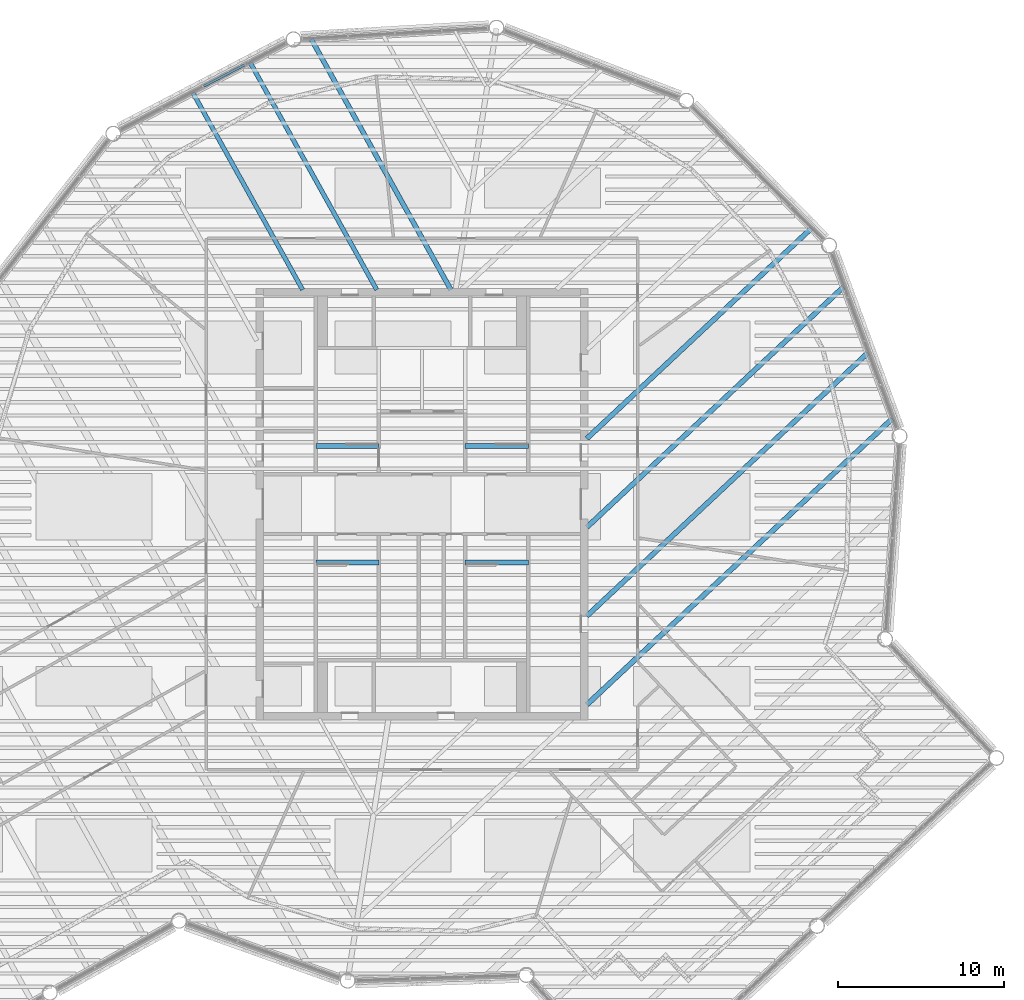
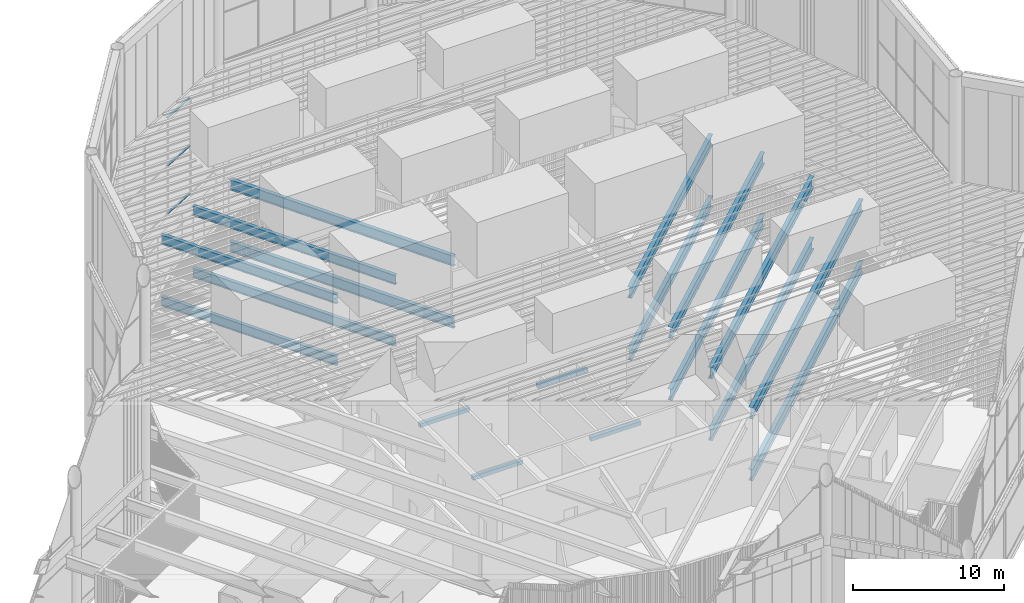
# One storey, part 50 of 117: 18 beams, 3 members, 1 element without a shape of its own.
"""IFC4 building model written with IfcOpenShell, lengths in metres."""

from ifc_helpers import new_model, si_unit, direction, frame, origin, origin_2d, place, context, subcontext, project, spatial, rectangle, hollow_rectangle, i_section, extrude, material, layer, layer_set, material_profile, profile_set, type_object, element, aggregate, save


model = new_model("IFC4")

# Units and contexts
model_context = context("Model", 3, precision=1e-05, world=origin(), true_north=direction((0.0, 1.0)))
body_context = subcontext(model_context, "Body", "Model", "MODEL_VIEW")
ifc_project = project(units=[si_unit("LENGTHUNIT", "METRE"), si_unit("AREAUNIT", "SQUARE_METRE"), si_unit("VOLUMEUNIT", "CUBIC_METRE"), si_unit("PLANEANGLEUNIT", "RADIAN"), si_unit("MASSUNIT", "GRAM", prefix="KILO")], contexts=[model_context])

# Site, building, storey
site_placement = place(None, origin())
site = spatial("IfcSite", under=ifc_project, at=site_placement, CompositionType="ELEMENT")
building_placement = place(site_placement, origin())
building = spatial("IfcBuilding", under=site, at=building_placement, Name="Tarsis Ring Headquarters", CompositionType="ELEMENT")
storey_placement = place(building_placement, frame((0.0, 0.0, 403.60009765625)))
storey = spatial("IfcBuildingStorey", under=building, at=storey_placement, Name="L95", CompositionType="ELEMENT", Elevation=403.60009765625)

# Curtain wall, members
ifc_material_1 = material(Name="Aluminium curtain wall", Category="aluminium")
ifc_layer = layer(ifc_material_1, 0.179931640625)
ifc_layer_set = layer_set([ifc_layer], Name="Curtain wall crown glazing")
curtain_wall_type = type_object("IfcCurtainWallType", Name="Curtain wall crown glazing", PredefinedType="NOTDEFINED", material=ifc_layer_set)
curtain_wall_placement = place(storey_placement, origin())
curtain_wall = element("IfcCurtainWall", 1, at=curtain_wall_placement, inside=storey, type_object=curtain_wall_type, Name="Crown glazing L11", PredefinedType="NOTDEFINED")
ifc_material_2 = material(Name="Aluminium transom", Category="aluminium")
ifc_material_profile_1 = material_profile(ifc_material_2, hollow_rectangle(XDim=0.14990234375, YDim=0.070068359375, WallThickness=0.0048828125, at=origin_2d()), Name="RHS 150x70x5")
ifc_profile_set_1 = profile_set([ifc_material_profile_1], Name="Aluminium transom")
member_type = type_object("IfcMemberType", Name="Crown glazing transom RHS 150x70x5", PredefinedType="USERDEFINED", material=ifc_profile_set_1)
member_1_placement = place(storey_placement, frame((-10.69091796875, 26.45458984375, 5.8349609375), z_axis=(-0.885914512263, -0.463848549595, 0.0), x_axis=(0.463848549595, -0.885914512263, 0.0)))
member_1 = element("IfcMember", 2, at=member_1_placement, type_object=member_type, Name="CW-C transom 2.1", ObjectType="TRANSOM", PredefinedType="USERDEFINED", context=body_context, shape_type="SweptSolid", body=[
    extrude(hollow_rectangle(XDim=0.14990234375, YDim=0.070068359375, WallThickness=0.0048828125, at=origin_2d()), origin(), (0.0, 0.0, 1.0), 2.763916015625),
])
member_2_placement = place(storey_placement, frame((-10.69091796875, 26.45458984375, 9.699951171875), z_axis=(-0.885914512263, -0.463848549595, 0.0), x_axis=(0.463848549595, -0.885914512263, 0.0)))
member_2 = element("IfcMember", 3, at=member_2_placement, type_object=member_type, Name="CW-C transom 2.2", ObjectType="TRANSOM", PredefinedType="USERDEFINED", context=body_context, shape_type="SweptSolid", body=[
    extrude(hollow_rectangle(XDim=0.14990234375, YDim=0.070068359375, WallThickness=0.0048828125, at=origin_2d()), origin(), (0.0, 0.0, 1.0), 2.763916015625),
])
member_3_placement = place(storey_placement, frame((-10.69091796875, 26.45458984375, 13.56494140625), z_axis=(-0.885914512263, -0.463848549595, 0.0), x_axis=(0.463848549595, -0.885914512263, 0.0)))
member_3 = element("IfcMember", 4, at=member_3_placement, type_object=member_type, Name="CW-C transom 2.3", ObjectType="TRANSOM", PredefinedType="USERDEFINED", context=body_context, shape_type="SweptSolid", body=[
    extrude(hollow_rectangle(XDim=0.14990234375, YDim=0.070068359375, WallThickness=0.0048828125, at=origin_2d()), origin(), (0.0, 0.0, 1.0), 2.763916015625),
])
aggregate(curtain_wall, [member_1, member_2, member_3])

# Beams
ifc_material_3 = material(Name="Structural steel S355", Category="steel")
ifc_material_profile_2 = material_profile(ifc_material_3, i_section(OverallWidth=0.2666015625, OverallDepth=0.7568359375, WebThickness=0.013916015625, FlangeThickness=0.019287109375, at=origin_2d()), Name="W30x108")
ifc_profile_set_2 = profile_set([ifc_material_profile_2], Name="Structural steel S355")
beam_type_1 = type_object("IfcBeamType", Name="FB Floor beam W30x108", PredefinedType="JOIST", material=ifc_profile_set_2)
beam_1_placement = place(storey_placement, frame((-10.34130859375, 26.578369140625, -0.678466796875), z_axis=(0.486641756201, -0.873601626098, 0.0), x_axis=(0.873601626098, 0.486641756201, 0.0)))
element("IfcBeam", 5, at=beam_1_placement, inside=storey, type_object=beam_type_1, Name="Floor beam FB6", PredefinedType="JOIST", context=body_context, shape_type="SweptSolid", body=[
    extrude(i_section(OverallWidth=0.2666015625, OverallDepth=0.7568359375, WebThickness=0.013916015625, FlangeThickness=0.019287109375, at=origin_2d()), origin(), (0.0, 0.0, 1.0), 15.64306640625),
])
beam_2_placement = place(storey_placement, frame((-13.797607421875, 24.76904296875, -0.678466796875), z_axis=(0.486646070602, -0.873599222738, 0.0), x_axis=(0.873599222738, 0.486646070602, 0.0)))
element("IfcBeam", 6, at=beam_2_placement, inside=storey, type_object=beam_type_1, Name="Floor beam FB6", PredefinedType="JOIST", context=body_context, shape_type="SweptSolid", body=[
    extrude(i_section(OverallWidth=0.2666015625, OverallDepth=0.7568359375, WebThickness=0.013916015625, FlangeThickness=0.019287109375, at=origin_2d()), origin(), (0.0, 0.0, 1.0), 13.572021484375),
])
beam_3_placement = place(storey_placement, frame((-10.34130859375, 26.578369140625, 4.321533203125), z_axis=(0.486641756201, -0.873601626098, 0.0), x_axis=(0.873601626098, 0.486641756201, 0.0)))
element("IfcBeam", 7, at=beam_3_placement, inside=storey, type_object=beam_type_1, Name="Floor beam FB6", PredefinedType="JOIST", context=body_context, shape_type="SweptSolid", body=[
    extrude(i_section(OverallWidth=0.2666015625, OverallDepth=0.7568359375, WebThickness=0.013916015625, FlangeThickness=0.019287109375, at=origin_2d()), origin(), (0.0, 0.0, 1.0), 15.64306640625),
])
beam_4_placement = place(storey_placement, frame((-13.797607421875, 24.76904296875, 4.321533203125), z_axis=(0.486646070602, -0.873599222738, 0.0), x_axis=(0.873599222738, 0.486646070602, 0.0)))
element("IfcBeam", 8, at=beam_4_placement, inside=storey, type_object=beam_type_1, Name="Floor beam FB6", PredefinedType="JOIST", context=body_context, shape_type="SweptSolid", body=[
    extrude(i_section(OverallWidth=0.2666015625, OverallDepth=0.7568359375, WebThickness=0.013916015625, FlangeThickness=0.019287109375, at=origin_2d()), origin(), (0.0, 0.0, 1.0), 13.572021484375),
])
ifc_material_profile_3 = material_profile(ifc_material_3, i_section(OverallWidth=0.2919921875, OverallDepth=0.835693359375, WebThickness=0.013916015625, FlangeThickness=0.018798828125, at=origin_2d()), Name="W33x118")
ifc_profile_set_3 = profile_set([ifc_material_profile_3], Name="Structural steel S355")
beam_type_2 = type_object("IfcBeamType", Name="FB Floor beam W33x118", PredefinedType="JOIST", material=ifc_profile_set_3)
for number, where, z_axis, x_axis, name in (
    (9, (-6.6669921875, 27.99658203125, -0.718017578125), (0.486642656693, -0.873601124477, 0.0), (0.873601124477, 0.486642656693, 0.0), "Floor beam FB7"),
    (10, (-6.6669921875, 27.99658203125, 4.281982421875), (0.486642656693, -0.873601124477, 0.0), (0.873601124477, 0.486642656693, 0.0), "Floor beam FB7"),
):
    element("IfcBeam", number, at=place(storey_placement, frame(where, z_axis=z_axis, x_axis=x_axis)), inside=storey, type_object=beam_type_2, Name=name, PredefinedType="JOIST", context=body_context, shape_type="SweptSolid", body=[
        extrude(i_section(OverallWidth=0.2919921875, OverallDepth=0.835693359375, WebThickness=0.013916015625, FlangeThickness=0.018798828125, at=origin_2d()), origin(), (0.0, 0.0, 1.0), 17.266357421875),
    ])
ifc_material_profile_4 = material_profile(ifc_material_3, i_section(OverallWidth=0.3046875, OverallDepth=0.904296875, WebThickness=0.01513671875, FlangeThickness=0.02001953125, at=origin_2d()), Name="W36x135")
ifc_profile_set_4 = profile_set([ifc_material_profile_4], Name="Structural steel S355")
beam_type_3 = type_object("IfcBeamType", Name="FB Floor beam W36x135", PredefinedType="JOIST", material=ifc_profile_set_4)
beam_5_placement = place(storey_placement, frame((9.927001953125, 3.953125, -0.752197265625), z_axis=(0.729925461924, 0.683526751514, 0.0), x_axis=(-0.683526751514, 0.729925461924, 0.0)))
element("IfcBeam", 11, at=beam_5_placement, inside=storey, type_object=beam_type_3, Name="Floor beam FB8", PredefinedType="JOIST", context=body_context, shape_type="SweptSolid", body=[
    extrude(i_section(OverallWidth=0.3046875, OverallDepth=0.904296875, WebThickness=0.01513671875, FlangeThickness=0.02001953125, at=origin_2d()), origin(), (0.0, 0.0, 1.0), 18.505859375),
])
beam_6_placement = place(storey_placement, frame((9.927001953125, -1.39013671875, -0.752197265625), z_axis=(0.729921969385, 0.683530481112, 0.0), x_axis=(-0.683530481112, 0.729921969385, 0.0)))
element("IfcBeam", 12, at=beam_6_placement, inside=storey, type_object=beam_type_3, Name="Floor beam FB8", PredefinedType="JOIST", context=body_context, shape_type="SweptSolid", body=[
    extrude(i_section(OverallWidth=0.3046875, OverallDepth=0.904296875, WebThickness=0.01513671875, FlangeThickness=0.02001953125, at=origin_2d()), origin(), (0.0, 0.0, 1.0), 21.166259765625),
])
beam_7_placement = place(storey_placement, frame((9.927001953125, 3.953125, 4.247802734375), z_axis=(0.729925461924, 0.683526751514, 0.0), x_axis=(-0.683526751514, 0.729925461924, 0.0)))
element("IfcBeam", 13, at=beam_7_placement, inside=storey, type_object=beam_type_3, Name="Floor beam FB8", PredefinedType="JOIST", context=body_context, shape_type="SweptSolid", body=[
    extrude(i_section(OverallWidth=0.3046875, OverallDepth=0.904296875, WebThickness=0.01513671875, FlangeThickness=0.02001953125, at=origin_2d()), origin(), (0.0, 0.0, 1.0), 18.505859375),
])
beam_8_placement = place(storey_placement, frame((9.927001953125, -1.39013671875, 4.247802734375), z_axis=(0.729921969385, 0.683530481112, 0.0), x_axis=(-0.683530481112, 0.729921969385, 0.0)))
element("IfcBeam", 14, at=beam_8_placement, inside=storey, type_object=beam_type_3, Name="Floor beam FB8", PredefinedType="JOIST", context=body_context, shape_type="SweptSolid", body=[
    extrude(i_section(OverallWidth=0.3046875, OverallDepth=0.904296875, WebThickness=0.01513671875, FlangeThickness=0.02001953125, at=origin_2d()), origin(), (0.0, 0.0, 1.0), 21.166259765625),
])
ifc_material_profile_5 = material_profile(ifc_material_3, i_section(OverallWidth=0.3046875, OverallDepth=0.91943359375, WebThickness=0.017333984375, FlangeThickness=0.02783203125, at=origin_2d()), Name="W36x170")
ifc_profile_set_5 = profile_set([ifc_material_profile_5], Name="Structural steel S355")
beam_type_4 = type_object("IfcBeamType", Name="FB Floor beam W36x170", PredefinedType="JOIST", material=ifc_profile_set_5)
for number, where, z_axis, x_axis, name in (
    (15, (9.927001953125, -6.733154296875, -0.759765625), (0.72992409868, 0.683528207294, 0.0), (-0.683528207294, 0.72992409868, 0.0), "Floor beam FB9"),
    (16, (9.927001953125, -6.733154296875, 4.240234375), (0.72992409868, 0.683528207294, 0.0), (-0.683528207294, 0.72992409868, 0.0), "Floor beam FB9"),
):
    element("IfcBeam", number, at=place(storey_placement, frame(where, z_axis=z_axis, x_axis=x_axis)), inside=storey, type_object=beam_type_4, Name=name, PredefinedType="JOIST", context=body_context, shape_type="SweptSolid", body=[
        extrude(i_section(OverallWidth=0.3046875, OverallDepth=0.91943359375, WebThickness=0.017333984375, FlangeThickness=0.02783203125, at=origin_2d()), origin(), (0.0, 0.0, 1.0), 23.17431640625),
    ])
ifc_material_profile_6 = material_profile(ifc_material_3, i_section(OverallWidth=0.309814453125, OverallDepth=0.93212890625, WebThickness=0.02099609375, FlangeThickness=0.034423828125, at=origin_2d()), Name="W36x210")
ifc_profile_set_6 = profile_set([ifc_material_profile_6], Name="Structural steel S355")
beam_type_5 = type_object("IfcBeamType", Name="FB Floor beam W36x210", PredefinedType="JOIST", material=ifc_profile_set_6)
for number, where, z_axis, x_axis, name in (
    (17, (9.927001953125, -12.076171875, -0.76611328125), (0.729925888378, 0.683526296111, 0.0), (-0.683526296111, 0.729925888378, 0.0), "Floor beam FB10"),
    (18, (9.927001953125, -12.076171875, 4.23388671875), (0.729925888378, 0.683526296111, 0.0), (-0.683526296111, 0.729925888378, 0.0), "Floor beam FB10"),
):
    element("IfcBeam", number, at=place(storey_placement, frame(where, z_axis=z_axis, x_axis=x_axis)), inside=storey, type_object=beam_type_5, Name=name, PredefinedType="JOIST", context=body_context, shape_type="SweptSolid", body=[
        extrude(i_section(OverallWidth=0.309814453125, OverallDepth=0.93212890625, WebThickness=0.02099609375, FlangeThickness=0.034423828125, at=origin_2d()), origin(), (0.0, 0.0, 1.0), 25.182373046875),
    ])
ifc_material_4 = material(Name="Concrete C40/50", Category="concrete")
ifc_material_profile_7 = material_profile(ifc_material_4, rectangle(XDim=0.300048828125, YDim=0.300048828125, at=origin_2d()), Name="Stair head beam 300x300 C40/50")
ifc_profile_set_7 = profile_set([ifc_material_profile_7], Name="Concrete C40/50")
beam_type_6 = type_object("IfcBeamType", Name="Stair head beam 300x300 C40/50", PredefinedType="BEAM", material=ifc_profile_set_7)
for number, where, z_axis, x_axis, name in (
    (19, (-6.39990234375, 3.510009765625, -0.4501953125), (1.0, 0.0, 0.0), (0.0, 1.0, 0.0), "Stair head beam L95 Firefighting stair"),
    (20, (2.60009765625, 3.510009765625, -0.4501953125), (1.0, 0.0, 0.0), (0.0, 1.0, 0.0), "Stair head beam L95 Exit stair B"),
    (21, (-6.39990234375, -3.510009765625, -0.4501953125), (1.0, 0.0, 0.0), (0.0, 1.0, 0.0), "Stair head beam L95 Exit stair C"),
    (22, (2.60009765625, -3.510009765625, -0.4501953125), (1.0, 0.0, 0.0), (0.0, 1.0, 0.0), "Stair head beam L95 Exit stair D"),
):
    element("IfcBeam", number, at=place(storey_placement, frame(where, z_axis=z_axis, x_axis=x_axis)), inside=storey, type_object=beam_type_6, Name=name, PredefinedType="BEAM", context=body_context, shape_type="SweptSolid", body=[
        extrude(rectangle(XDim=0.300048828125, YDim=0.300048828125, at=origin_2d()), origin(), (0.0, 0.0, 1.0), 3.7998046875),
    ])

save(model, "model.ifc")
